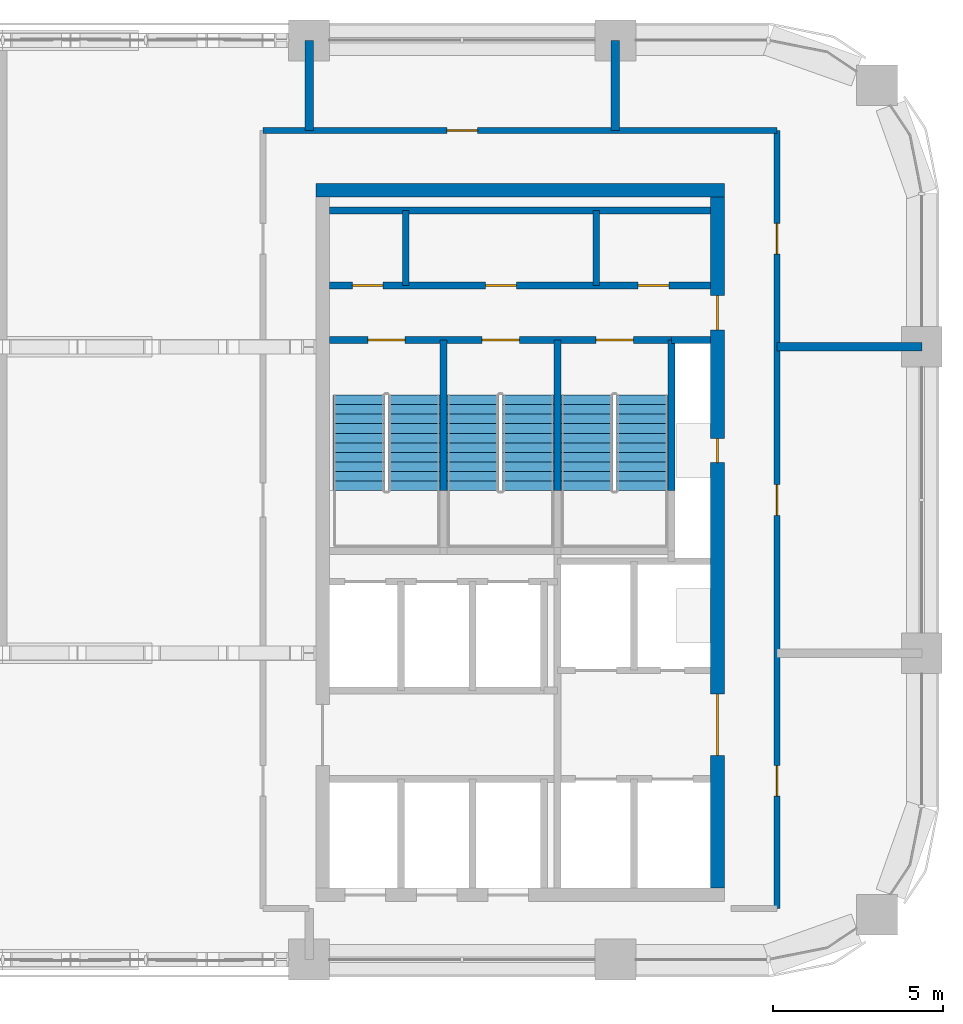
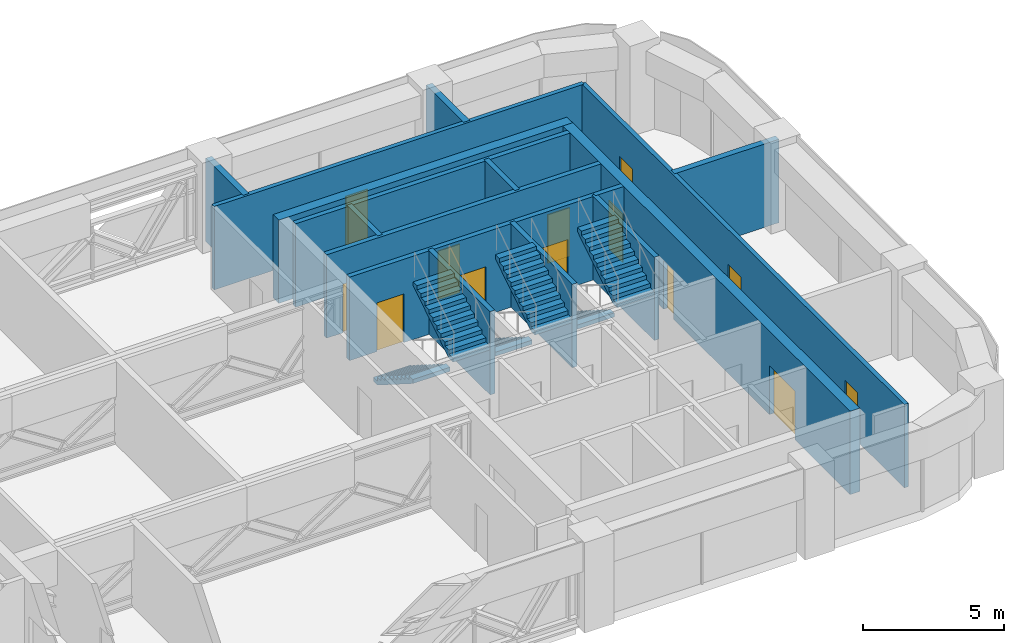
# One storey, part 11 of 12: 16 walls, 13 doors, 6 stair flights, 13 openings, 3 elements without a shape of their own.
"""IFC4 building model written with IfcOpenShell, lengths in metres."""

from ifc_helpers import new_model, si_unit, direction, frame, frame_2d, origin, place, context, subcontext, project, spatial, polyline, rectangle, outline, extrude, material, layer, layer_set, type_object, element, fill, aggregate, save


model = new_model("IFC4")

# Units and contexts
model_context = context("Model", 3, precision=1e-05, world=origin(), true_north=direction((0.0, 1.0)))
body_context = subcontext(model_context, "Body", "Model", "MODEL_VIEW")
ifc_project = project(units=[si_unit("LENGTHUNIT", "METRE"), si_unit("AREAUNIT", "SQUARE_METRE"), si_unit("VOLUMEUNIT", "CUBIC_METRE"), si_unit("PLANEANGLEUNIT", "RADIAN"), si_unit("MASSUNIT", "GRAM", prefix="KILO")], contexts=[model_context])

# Site, building, storey
site_placement = place(None, origin())
site = spatial("IfcSite", under=ifc_project, at=site_placement, CompositionType="ELEMENT")
building_placement = place(site_placement, origin())
building = spatial("IfcBuilding", under=site, at=building_placement, Name="Tessera Arch", CompositionType="ELEMENT")
storey_placement = place(building_placement, frame((0.0, 0.0, 230.60009765625)))
storey = spatial("IfcBuildingStorey", under=building, at=storey_placement, Name="L55", CompositionType="ELEMENT", Elevation=230.60009765625)

# Walls
ifc_material_1 = material(Name="Gypsum board on steel stud", Category="steel")
ifc_layer_1 = layer(ifc_material_1, 0.125)
ifc_layer_set_1 = layer_set([ifc_layer_1], Name="Core partition 125 EI 60")
wall_type_1 = type_object("IfcWallType", Name="Core partition 125 EI 60", PredefinedType="PARTITIONING", material=ifc_layer_set_1)
for number, where, z_axis, x_axis, name in (
    (1, (38.840087890625, 46.800048828125, 0.0), (0.0, 0.0, 1.0), (0.0, 1.0, 0.0), "L55 C1 partition wall 3"),
    (2, (44.43994140625, 46.800048828125, 0.0), (0.0, 0.0, 1.0), (0.0, 1.0, 0.0), "L55 C1 partition wall 13"),
):
    element("IfcWall", number, at=place(storey_placement, frame(where, z_axis=z_axis, x_axis=x_axis)), inside=storey, type_object=wall_type_1, Name=name, PredefinedType="PARTITIONING", context=body_context, shape_type="SweptSolid", body=[
        extrude(rectangle(XDim=2.199951171875, YDim=0.199951171875, at=frame_2d((1.10009765625, 0.0))), origin(), (0.0, 0.0, 1.0), 3.599853515625),
    ])

# Wall, openings, doors
wall_1_placement = place(storey_placement, frame((36.60009765625, 46.800048828125, 0.0), z_axis=(0.0, 0.0, 1.0), x_axis=(1.0, 0.0, 0.0)))
wall_1 = element("IfcWall", 3, at=wall_1_placement, inside=storey, type_object=wall_type_1, Name="L55 C1 partition wall 32", PredefinedType="PARTITIONING", context=body_context, shape_type="SweptSolid", body=[
    extrude(rectangle(XDim=11.199951171875, YDim=0.199951171875, at=frame_2d((5.60009765625, 0.0))), origin(), (0.0, 0.0, 1.0), 3.599853515625),
])
opening_1_placement = place(wall_1_placement, frame((0.669921875, 0.0, 0.0)))
opening_1 = element("IfcOpeningElement", 4, at=opening_1_placement, cuts=wall_1, Name="Opening L55-C18", PredefinedType="OPENING", context=body_context, shape_type="SweptSolid", body=[
    extrude(rectangle(XDim=0.89990234375, YDim=2.10009765625, at=frame_2d((0.449951171875, 1.050048828125))), frame((0.0, 0.10986328125, 0.0), z_axis=(0.0, -1.0, 0.0), x_axis=(1.0, 0.0, 0.0)), (0.0, 0.0, 1.0), 0.219970703125),
])
opening_2_placement = place(wall_1_placement, frame((4.590087890625, 0.0, 0.0)))
opening_2 = element("IfcOpeningElement", 5, at=opening_2_placement, cuts=wall_1, Name="Opening L55-C19", PredefinedType="OPENING", context=body_context, shape_type="SweptSolid", body=[
    extrude(rectangle(XDim=0.89990234375, YDim=2.10009765625, at=frame_2d((0.449951171875, 1.050048828125))), frame((0.0, 0.10986328125, 0.0), z_axis=(0.0, -1.0, 0.0), x_axis=(1.0, 0.0, 0.0)), (0.0, 0.0, 1.0), 0.219970703125),
])
opening_3_placement = place(wall_1_placement, frame((9.070068359375, 0.0, 0.0)))
opening_3 = element("IfcOpeningElement", 6, at=opening_3_placement, cuts=wall_1, Name="Opening L55-C20", PredefinedType="OPENING", context=body_context, shape_type="SweptSolid", body=[
    extrude(rectangle(XDim=0.89990234375, YDim=2.10009765625, at=frame_2d((0.449951171875, 1.050048828125))), frame((0.0, 0.10986328125, 0.0), z_axis=(0.0, -1.0, 0.0), x_axis=(1.0, 0.0, 0.0)), (0.0, 0.0, 1.0), 0.219970703125),
])
ifc_material_2 = material(Name="Steel door leaf", Category="steel")
door_type_1 = type_object("IfcDoorType", Name="Store door FD30S 900 x 2100", OperationType="SINGLE_SWING_LEFT", PredefinedType="DOOR", material=ifc_material_2)
door_1_placement = place(opening_1_placement, origin())
door_1 = element("IfcDoor", 7, at=door_1_placement, inside=storey, type_object=door_type_1, Name="L55 C1 door 18 C18 type D09", OperationType="SINGLE_SWING_LEFT", OverallHeight=2.10009765625, OverallWidth=0.89990234375, PredefinedType="DOOR", context=body_context, shape_type="SweptSolid", body=[
    extrude(rectangle(XDim=0.89990234375, YDim=2.10009765625, at=frame_2d((0.449951171875, 1.050048828125))), frame((0.0, 0.02490234375, 0.0), z_axis=(0.0, -1.0, 0.0), x_axis=(1.0, 0.0, 0.0)), (0.0, 0.0, 1.0), 0.050048828125),
])
fill(opening_1, door_1)
door_2_placement = place(opening_2_placement, origin())
door_2 = element("IfcDoor", 8, at=door_2_placement, inside=storey, type_object=door_type_1, Name="L55 C1 door 19 C19 type D09", OperationType="SINGLE_SWING_LEFT", OverallHeight=2.10009765625, OverallWidth=0.89990234375, PredefinedType="DOOR", context=body_context, shape_type="SweptSolid", body=[
    extrude(rectangle(XDim=0.89990234375, YDim=2.10009765625, at=frame_2d((0.449951171875, 1.050048828125))), frame((0.0, 0.02490234375, 0.0), z_axis=(0.0, -1.0, 0.0), x_axis=(1.0, 0.0, 0.0)), (0.0, 0.0, 1.0), 0.050048828125),
])
fill(opening_2, door_2)
door_3_placement = place(opening_3_placement, origin())
door_3 = element("IfcDoor", 9, at=door_3_placement, inside=storey, type_object=door_type_1, Name="L55 C1 door 20 C20 type D09", OperationType="SINGLE_SWING_RIGHT", OverallHeight=2.10009765625, OverallWidth=0.89990234375, PredefinedType="DOOR", context=body_context, shape_type="SweptSolid", body=[
    extrude(rectangle(XDim=0.89990234375, YDim=2.10009765625, at=frame_2d((0.449951171875, 1.050048828125))), frame((0.0, 0.02490234375, 0.0), z_axis=(0.0, -1.0, 0.0), x_axis=(1.0, 0.0, 0.0)), (0.0, 0.0, 1.0), 0.050048828125),
])
fill(opening_3, door_3)

# Walls
wall_2_placement = place(storey_placement, frame((36.60009765625, 49.0, 0.0), z_axis=(0.0, 0.0, 1.0), x_axis=(1.0, 0.0, 0.0)))
element("IfcWall", 10, at=wall_2_placement, inside=storey, type_object=wall_type_1, Name="L55 C1 partition wall 33", PredefinedType="PARTITIONING", context=body_context, shape_type="SweptSolid", body=[
    extrude(rectangle(XDim=11.199951171875, YDim=0.199951171875, at=frame_2d((5.60009765625, 0.0))), origin(), (0.0, 0.0, 1.0), 3.599853515625),
])
ifc_material_3 = material(Name="Concrete C50/60", Category="concrete")
ifc_layer_2 = layer(ifc_material_3, 0.39990234375)
ifc_layer_set_2 = layer_set([ifc_layer_2], Name="Core shell wall 400 C50-60")
wall_type_2 = type_object("IfcWallType", Name="Core shell wall 400 C50-60", PredefinedType="SHEAR", material=ifc_layer_set_2)
wall_3_placement = place(storey_placement, frame((36.199951171875, 49.60009765625, 0.0), z_axis=(0.0, 0.0, 1.0), x_axis=(1.0, 0.0, 0.0)))
element("IfcWall", 11, at=wall_3_placement, inside=storey, type_object=wall_type_2, Name="L55 C1 core wall N", PredefinedType="SHEAR", context=body_context, shape_type="SweptSolid", body=[
    extrude(rectangle(XDim=12.0, YDim=0.39990234375, at=frame_2d((6.0, 0.0))), origin(), (0.0, 0.0, 1.0), 3.599853515625),
])

# Wall, openings, doors
wall_4_placement = place(storey_placement, frame((48.0, 29.10009765625, 0.0), z_axis=(0.0, 0.0, 1.0), x_axis=(0.0, 1.0, 0.0)))
wall_4 = element("IfcWall", 12, at=wall_4_placement, inside=storey, type_object=wall_type_2, Name="L55 C1 core wall E", PredefinedType="SHEAR", context=body_context, shape_type="SweptSolid", body=[
    extrude(rectangle(XDim=20.2998046875, YDim=0.39990234375, at=frame_2d((10.14990234375, 0.0))), origin(), (0.0, 0.0, 1.0), 3.599853515625),
])
opening_4_placement = place(wall_4_placement, frame((12.5, 0.0, 0.0)))
opening_4 = element("IfcOpeningElement", 13, at=opening_4_placement, cuts=wall_4, Name="Opening L55-C14", PredefinedType="OPENING", context=body_context, shape_type="SweptSolid", body=[
    extrude(rectangle(XDim=0.699951171875, YDim=2.10009765625, at=frame_2d((0.35009765625, 1.050048828125))), frame((0.0, 0.2099609375, 0.0), z_axis=(0.0, -1.0, 0.0), x_axis=(1.0, 0.0, 0.0)), (0.0, 0.0, 1.0), 0.419921875),
])
opening_5_placement = place(wall_4_placement, frame((3.89990234375, 0.0, 0.0)))
opening_5 = element("IfcOpeningElement", 14, at=opening_5_placement, cuts=wall_4, Name="Opening L55-C15", PredefinedType="OPENING", context=body_context, shape_type="SweptSolid", body=[
    extrude(rectangle(XDim=1.800048828125, YDim=2.10009765625, at=frame_2d((0.89990234375, 1.050048828125))), frame((0.0, 0.2099609375, 0.0), z_axis=(0.0, -1.0, 0.0), x_axis=(1.0, 0.0, 0.0)), (0.0, 0.0, 1.0), 0.419921875),
])
opening_6_placement = place(wall_4_placement, frame((16.39990234375, 0.0, 0.0)))
opening_6 = element("IfcOpeningElement", 15, at=opening_6_placement, cuts=wall_4, Name="Opening L55-C17", PredefinedType="OPENING", context=body_context, shape_type="SweptSolid", body=[
    extrude(rectangle(XDim=1.0, YDim=2.10009765625, at=frame_2d((0.5, 1.050048828125))), frame((0.0, 0.2099609375, 0.0), z_axis=(0.0, -1.0, 0.0), x_axis=(1.0, 0.0, 0.0)), (0.0, 0.0, 1.0), 0.419921875),
])
ifc_material_4 = material(Name="Steel door leaf", Category="steel")
door_type_2 = type_object("IfcDoorType", Name="Corridor door FD60 1000 x 2100", OperationType="SINGLE_SWING_LEFT", PredefinedType="DOOR", material=ifc_material_4)
door_4_placement = place(opening_6_placement, origin())
door_4 = element("IfcDoor", 16, at=door_4_placement, inside=storey, type_object=door_type_2, Name="L55 C1 door 17 C17 type D12", OperationType="SINGLE_SWING_RIGHT", OverallHeight=2.10009765625, OverallWidth=1.0, PredefinedType="DOOR", context=body_context, shape_type="SweptSolid", body=[
    extrude(rectangle(XDim=1.0, YDim=2.10009765625, at=frame_2d((0.5, 1.050048828125))), frame((0.0, 0.02490234375, 0.0), z_axis=(0.0, -1.0, 0.0), x_axis=(1.0, 0.0, 0.0)), (0.0, 0.0, 1.0), 0.050048828125),
])
fill(opening_6, door_4)
ifc_material_5 = material(Name="Glazed steel door leaf", Category="steel")
door_type_3 = type_object("IfcDoorType", Name="Lobby double door FD60 1800 x 2100", OperationType="DOUBLE_DOOR_SINGLE_SWING", PredefinedType="DOOR", material=ifc_material_5)
door_5_placement = place(opening_5_placement, origin())
door_5 = element("IfcDoor", 17, at=door_5_placement, inside=storey, type_object=door_type_3, Name="L55 C1 door 15 C15 type D19", OperationType="DOUBLE_DOOR_SINGLE_SWING", OverallHeight=2.10009765625, OverallWidth=1.800048828125, PredefinedType="DOOR", context=body_context, shape_type="SweptSolid", body=[
    extrude(rectangle(XDim=1.800048828125, YDim=2.10009765625, at=frame_2d((0.89990234375, 1.050048828125))), frame((0.0, 0.02490234375, 0.0), z_axis=(0.0, -1.0, 0.0), x_axis=(1.0, 0.0, 0.0)), (0.0, 0.0, 1.0), 0.050048828125),
])
fill(opening_5, door_5)
ifc_material_6 = material(Name="Steel door leaf", Category="steel")
door_type_4 = type_object("IfcDoorType", Name="Service shaft door FD60 700 x 2100", OperationType="SINGLE_SWING_LEFT", PredefinedType="DOOR", material=ifc_material_6)
door_6_placement = place(opening_4_placement, origin())
door_6 = element("IfcDoor", 18, at=door_6_placement, inside=storey, type_object=door_type_4, Name="L55 C1 door 14 C14 type D07", OperationType="SINGLE_SWING_RIGHT", OverallHeight=2.10009765625, OverallWidth=0.699951171875, PredefinedType="DOOR", context=body_context, shape_type="SweptSolid", body=[
    extrude(rectangle(XDim=0.699951171875, YDim=2.10009765625, at=frame_2d((0.35009765625, 1.050048828125))), frame((0.0, 0.02490234375, 0.0), z_axis=(0.0, -1.0, 0.0), x_axis=(1.0, 0.0, 0.0)), (0.0, 0.0, 1.0), 0.050048828125),
])
fill(opening_4, door_6)

# Wall, opening, door
ifc_material_7 = material(Name="Gypsum board on deep steel stud with mineral wool", Category="steel")
ifc_layer_3 = layer(ifc_material_7, 0.175048828125)
ifc_layer_set_3 = layer_set([ifc_layer_3], Name="Corridor wall 175 EI 60")
wall_type_3 = type_object("IfcWallType", Name="Corridor wall 175 EI 60", PredefinedType="PARTITIONING", material=ifc_layer_set_3)
wall_5_placement = place(storey_placement, frame((34.64990234375, 51.35009765625, 0.0), z_axis=(0.0, 0.0, 1.0), x_axis=(1.0, 0.0, 0.0)))
wall_5 = element("IfcWall", 19, at=wall_5_placement, inside=storey, type_object=wall_type_3, Name="L55 partition 6", PredefinedType="PARTITIONING", context=body_context, shape_type="SweptSolid", body=[
    extrude(rectangle(XDim=15.10009765625, YDim=0.175048828125, at=frame_2d((7.550048828125, 0.0))), origin(), (0.0, 0.0, 1.0), 3.599853515625),
])
opening_7_placement = place(wall_5_placement, frame((5.39990234375, 0.0, 0.0)))
opening_7 = element("IfcOpeningElement", 20, at=opening_7_placement, cuts=wall_5, Name="Opening L55-D014", PredefinedType="OPENING", context=body_context, shape_type="SweptSolid", body=[
    extrude(rectangle(XDim=0.89990234375, YDim=2.10009765625, at=frame_2d((0.449951171875, 1.050048828125))), frame((0.0, 0.097412109375, 0.0), z_axis=(0.0, -1.0, 0.0), x_axis=(1.0, 0.0, 0.0)), (0.0, 0.0, 1.0), 0.195068359375),
])
ifc_material_8 = material(Name="Timber door leaf", Category="wood")
door_type_5 = type_object("IfcDoorType", Name="Room door 900 x 2100", OperationType="SINGLE_SWING_LEFT", PredefinedType="DOOR", material=ifc_material_8)
door_7_placement = place(opening_7_placement, origin())
door_7 = element("IfcDoor", 21, at=door_7_placement, inside=storey, type_object=door_type_5, Name="L55 door D014 type D01", OperationType="SINGLE_SWING_RIGHT", OverallHeight=2.10009765625, OverallWidth=0.89990234375, PredefinedType="DOOR", context=body_context, shape_type="SweptSolid", body=[
    extrude(rectangle(XDim=0.89990234375, YDim=2.10009765625, at=frame_2d((0.449951171875, 1.050048828125))), frame((0.0, 0.02490234375, 0.0), z_axis=(0.0, -1.0, 0.0), x_axis=(1.0, 0.0, 0.0)), (0.0, 0.0, 1.0), 0.050048828125),
])
fill(opening_7, door_7)

# Wall, openings, doors
wall_6_placement = place(storey_placement, frame((49.75, 28.5, 0.0), z_axis=(0.0, 0.0, 1.0), x_axis=(0.0, 1.0, 0.0)))
wall_6 = element("IfcWall", 22, at=wall_6_placement, inside=storey, type_object=wall_type_3, Name="L55 partition 10", PredefinedType="PARTITIONING", context=body_context, shape_type="SweptSolid", body=[
    extrude(rectangle(XDim=22.85009765625, YDim=0.175048828125, at=frame_2d((11.425048828125, 0.0))), origin(), (0.0, 0.0, 1.0), 3.599853515625),
])
opening_8_placement = place(wall_6_placement, frame((3.300048828125, 0.0, 0.0)))
opening_8 = element("IfcOpeningElement", 23, at=opening_8_placement, cuts=wall_6, Name="Opening L55-D001", PredefinedType="OPENING", context=body_context, shape_type="SweptSolid", body=[
    extrude(rectangle(XDim=0.89990234375, YDim=2.10009765625, at=frame_2d((0.449951171875, 1.050048828125))), frame((0.0, 0.097412109375, 0.0), z_axis=(0.0, -1.0, 0.0), x_axis=(1.0, 0.0, 0.0)), (0.0, 0.0, 1.0), 0.195068359375),
])
opening_9_placement = place(wall_6_placement, frame((11.550048828125, 0.0, 0.0)))
opening_9 = element("IfcOpeningElement", 24, at=opening_9_placement, cuts=wall_6, Name="Opening L55-D008", PredefinedType="OPENING", context=body_context, shape_type="SweptSolid", body=[
    extrude(rectangle(XDim=0.89990234375, YDim=2.10009765625, at=frame_2d((0.449951171875, 1.050048828125))), frame((0.0, 0.097412109375, 0.0), z_axis=(0.0, -1.0, 0.0), x_axis=(1.0, 0.0, 0.0)), (0.0, 0.0, 1.0), 0.195068359375),
])
opening_10_placement = place(wall_6_placement, frame((19.22509765625, 0.0, 0.0)))
opening_10 = element("IfcOpeningElement", 25, at=opening_10_placement, cuts=wall_6, Name="Opening L55-D012", PredefinedType="OPENING", context=body_context, shape_type="SweptSolid", body=[
    extrude(rectangle(XDim=0.89990234375, YDim=2.10009765625, at=frame_2d((0.449951171875, 1.050048828125))), frame((0.0, 0.097412109375, 0.0), z_axis=(0.0, -1.0, 0.0), x_axis=(1.0, 0.0, 0.0)), (0.0, 0.0, 1.0), 0.195068359375),
])
door_8_placement = place(opening_8_placement, origin())
door_8 = element("IfcDoor", 26, at=door_8_placement, inside=storey, type_object=door_type_5, Name="L55 door D001 type D01", OperationType="SINGLE_SWING_RIGHT", OverallHeight=2.10009765625, OverallWidth=0.89990234375, PredefinedType="DOOR", context=body_context, shape_type="SweptSolid", body=[
    extrude(rectangle(XDim=0.89990234375, YDim=2.10009765625, at=frame_2d((0.449951171875, 1.050048828125))), frame((0.0, 0.02490234375, 0.0), z_axis=(0.0, -1.0, 0.0), x_axis=(1.0, 0.0, 0.0)), (0.0, 0.0, 1.0), 0.050048828125),
])
fill(opening_8, door_8)
door_9_placement = place(opening_9_placement, origin())
door_9 = element("IfcDoor", 27, at=door_9_placement, inside=storey, type_object=door_type_5, Name="L55 door D008 type D01", OperationType="SINGLE_SWING_LEFT", OverallHeight=2.10009765625, OverallWidth=0.89990234375, PredefinedType="DOOR", context=body_context, shape_type="SweptSolid", body=[
    extrude(rectangle(XDim=0.89990234375, YDim=2.10009765625, at=frame_2d((0.449951171875, 1.050048828125))), frame((0.0, 0.02490234375, 0.0), z_axis=(0.0, -1.0, 0.0), x_axis=(1.0, 0.0, 0.0)), (0.0, 0.0, 1.0), 0.050048828125),
])
fill(opening_9, door_9)
door_10_placement = place(opening_10_placement, origin())
door_10 = element("IfcDoor", 28, at=door_10_placement, inside=storey, type_object=door_type_5, Name="L55 door D012 type D01", OperationType="SINGLE_SWING_LEFT", OverallHeight=2.10009765625, OverallWidth=0.89990234375, PredefinedType="DOOR", context=body_context, shape_type="SweptSolid", body=[
    extrude(rectangle(XDim=0.89990234375, YDim=2.10009765625, at=frame_2d((0.449951171875, 1.050048828125))), frame((0.0, 0.02490234375, 0.0), z_axis=(0.0, -1.0, 0.0), x_axis=(1.0, 0.0, 0.0)), (0.0, 0.0, 1.0), 0.050048828125),
])
fill(opening_10, door_10)

# Walls
ifc_material_9 = material(Name="Double gypsum board on twin steel stud with acoustic mineral wool", Category="steel")
ifc_layer_4 = layer(ifc_material_9, 0.25)
ifc_layer_set_4 = layer_set([ifc_layer_4], Name="Party wall 250 EI 60")
wall_type_4 = type_object("IfcWallType", Name="Party wall 250 EI 60", PredefinedType="PARTITIONING", material=ifc_layer_set_4)
wall_7_placement = place(storey_placement, frame((49.75, 45.0, 0.0), z_axis=(0.0, 0.0, 1.0), x_axis=(1.0, 0.0, 0.0)))
element("IfcWall", 29, at=wall_7_placement, inside=storey, type_object=wall_type_4, Name="L55 partition 16", PredefinedType="PARTITIONING", context=body_context, shape_type="SweptSolid", body=[
    extrude(rectangle(XDim=4.25, YDim=0.25, at=frame_2d((2.125, 0.0))), origin(), (0.0, 0.0, 1.0), 3.599853515625),
])
for number, where, z_axis, x_axis, name in (
    (30, (36.0, 51.35009765625, 0.0), (0.0, 0.0, 1.0), (0.0, 1.0, 0.0), "L55 partition 23"),
    (31, (45.0, 51.35009765625, 0.0), (0.0, 0.0, 1.0), (0.0, 1.0, 0.0), "L55 partition 24"),
):
    element("IfcWall", number, at=place(storey_placement, frame(where, z_axis=z_axis, x_axis=x_axis)), inside=storey, type_object=wall_type_4, Name=name, PredefinedType="PARTITIONING", context=body_context, shape_type="SweptSolid", body=[
        extrude(rectangle(XDim=2.64990234375, YDim=0.25, at=frame_2d((1.324951171875, 0.0))), origin(), (0.0, 0.0, 1.0), 3.599853515625),
    ])
ifc_material_10 = material(Name="Concrete C40/50", Category="concrete")
ifc_layer_5 = layer(ifc_material_10, 0.199951171875)
ifc_layer_set_5 = layer_set([ifc_layer_5], Name="Shaft wall 200 EI 120")
wall_type_5 = type_object("IfcWallType", Name="Shaft wall 200 EI 120", PredefinedType="SOLIDWALL", material=ifc_layer_set_5)
wall_8_placement = place(storey_placement, frame((46.64990234375, 45.199951171875, 0.0), z_axis=(0.0, 0.0, 1.0), x_axis=(1.0, 0.0, 0.0)))
element("IfcWall", 32, at=wall_8_placement, inside=storey, type_object=wall_type_5, Name="L55 C1 shaft wall 30", PredefinedType="SOLIDWALL", context=body_context, shape_type="SweptSolid", body=[
    extrude(rectangle(XDim=1.150146484375, YDim=0.199951171875, at=frame_2d((0.5751953125, 0.0))), origin(), (0.0, 0.0, 1.0), 3.599853515625),
])
ifc_material_11 = material(Name="Concrete C40/50", Category="concrete")
ifc_layer_6 = layer(ifc_material_11, 0.199951171875)
ifc_layer_set_6 = layer_set([ifc_layer_6], Name="Stair well wall 200 REI 180")
wall_type_6 = type_object("IfcWallType", Name="Stair well wall 200 REI 180", PredefinedType="SOLIDWALL", material=ifc_layer_set_6)
for number, where, z_axis, x_axis, name in (
    (33, (39.949951171875, 40.780029296875, 0.0), (0.0, 0.0, 1.0), (0.0, 1.0, 0.0), "L55 C1 shaft wall 5"),
    (34, (43.300048828125, 40.780029296875, 0.0), (0.0, 0.0, 1.0), (0.0, 1.0, 0.0), "L55 C1 shaft wall 12"),
    (35, (46.64990234375, 40.780029296875, 0.0), (0.0, 0.0, 1.0), (0.0, 1.0, 0.0), "L55 C1 shaft wall 18"),
):
    element("IfcWall", number, at=place(storey_placement, frame(where, z_axis=z_axis, x_axis=x_axis)), inside=storey, type_object=wall_type_6, Name=name, PredefinedType="SOLIDWALL", context=body_context, shape_type="SweptSolid", body=[
        extrude(rectangle(XDim=4.419921875, YDim=0.199951171875, at=frame_2d((2.2099609375, 0.0))), origin(), (0.0, 0.0, 1.0), 3.599853515625),
    ])

# Wall, openings, doors
wall_9_placement = place(storey_placement, frame((36.60009765625, 45.199951171875, 0.0), z_axis=(0.0, 0.0, 1.0), x_axis=(1.0, 0.0, 0.0)))
wall_9 = element("IfcWall", 36, at=wall_9_placement, inside=storey, type_object=wall_type_6, Name="L55 C1 shaft wall 31", PredefinedType="SOLIDWALL", context=body_context, shape_type="SweptSolid", body=[
    extrude(rectangle(XDim=10.0498046875, YDim=0.199951171875, at=frame_2d((5.02490234375, 0.0))), origin(), (0.0, 0.0, 1.0), 3.599853515625),
])
opening_11_placement = place(wall_9_placement, frame((1.125, 0.0, 0.0)))
opening_11 = element("IfcOpeningElement", 37, at=opening_11_placement, cuts=wall_9, Name="Opening L55-C11", PredefinedType="OPENING", context=body_context, shape_type="SweptSolid", body=[
    extrude(rectangle(XDim=1.10009765625, YDim=2.10009765625, at=frame_2d((0.550048828125, 1.050048828125))), frame((0.0, 0.10986328125, 0.0), z_axis=(0.0, -1.0, 0.0), x_axis=(1.0, 0.0, 0.0)), (0.0, 0.0, 1.0), 0.219970703125),
])
opening_12_placement = place(wall_9_placement, frame((4.47509765625, 0.0, 0.0)))
opening_12 = element("IfcOpeningElement", 38, at=opening_12_placement, cuts=wall_9, Name="Opening L55-C12", PredefinedType="OPENING", context=body_context, shape_type="SweptSolid", body=[
    extrude(rectangle(XDim=1.10009765625, YDim=2.10009765625, at=frame_2d((0.550048828125, 1.050048828125))), frame((0.0, 0.10986328125, 0.0), z_axis=(0.0, -1.0, 0.0), x_axis=(1.0, 0.0, 0.0)), (0.0, 0.0, 1.0), 0.219970703125),
])
opening_13_placement = place(wall_9_placement, frame((7.824951171875, 0.0, 0.0)))
opening_13 = element("IfcOpeningElement", 39, at=opening_13_placement, cuts=wall_9, Name="Opening L55-C13", PredefinedType="OPENING", context=body_context, shape_type="SweptSolid", body=[
    extrude(rectangle(XDim=1.10009765625, YDim=2.10009765625, at=frame_2d((0.550048828125, 1.050048828125))), frame((0.0, 0.10986328125, 0.0), z_axis=(0.0, -1.0, 0.0), x_axis=(1.0, 0.0, 0.0)), (0.0, 0.0, 1.0), 0.219970703125),
])
ifc_material_12 = material(Name="Steel door leaf", Category="steel")
door_type_6 = type_object("IfcDoorType", Name="Stair door FD60 1100 x 2100", OperationType="SINGLE_SWING_LEFT", PredefinedType="DOOR", material=ifc_material_12)
door_11_placement = place(opening_11_placement, origin())
door_11 = element("IfcDoor", 40, at=door_11_placement, inside=storey, type_object=door_type_6, Name="L55 C1 door 11 C11 type D05", OperationType="SINGLE_SWING_LEFT", OverallHeight=2.10009765625, OverallWidth=1.10009765625, PredefinedType="DOOR", context=body_context, shape_type="SweptSolid", body=[
    extrude(rectangle(XDim=1.10009765625, YDim=2.10009765625, at=frame_2d((0.550048828125, 1.050048828125))), frame((0.0, 0.02490234375, 0.0), z_axis=(0.0, -1.0, 0.0), x_axis=(1.0, 0.0, 0.0)), (0.0, 0.0, 1.0), 0.050048828125),
])
fill(opening_11, door_11)
door_12_placement = place(opening_12_placement, origin())
door_12 = element("IfcDoor", 41, at=door_12_placement, inside=storey, type_object=door_type_6, Name="L55 C1 door 12 C12 type D05", OperationType="SINGLE_SWING_RIGHT", OverallHeight=2.10009765625, OverallWidth=1.10009765625, PredefinedType="DOOR", context=body_context, shape_type="SweptSolid", body=[
    extrude(rectangle(XDim=1.10009765625, YDim=2.10009765625, at=frame_2d((0.550048828125, 1.050048828125))), frame((0.0, 0.02490234375, 0.0), z_axis=(0.0, -1.0, 0.0), x_axis=(1.0, 0.0, 0.0)), (0.0, 0.0, 1.0), 0.050048828125),
])
fill(opening_12, door_12)
door_13_placement = place(opening_13_placement, origin())
door_13 = element("IfcDoor", 42, at=door_13_placement, inside=storey, type_object=door_type_6, Name="L55 C1 door 13 C13 type D05", OperationType="SINGLE_SWING_RIGHT", OverallHeight=2.10009765625, OverallWidth=1.10009765625, PredefinedType="DOOR", context=body_context, shape_type="SweptSolid", body=[
    extrude(rectangle(XDim=1.10009765625, YDim=2.10009765625, at=frame_2d((0.550048828125, 1.050048828125))), frame((0.0, 0.02490234375, 0.0), z_axis=(0.0, -1.0, 0.0), x_axis=(1.0, 0.0, 0.0)), (0.0, 0.0, 1.0), 0.050048828125),
])
fill(opening_13, door_13)

# Stair, stair flights
ifc_material_13 = material(Name="Concrete C40/50", Category="concrete")
stair_type = type_object("IfcStairType", Name="Dogleg stair 1520", PredefinedType="HALF_TURN_STAIR", material=ifc_material_13)
stair_1_placement = place(storey_placement, origin())
stair_1 = element("IfcStair", 43, at=stair_1_placement, inside=storey, type_object=stair_type, Name="L55 S1a", PredefinedType="HALF_TURN_STAIR")
ifc_material_14 = material(Name="Concrete C40/50", Category="concrete")
stair_flight_type = type_object("IfcStairFlightType", Name="Stair flight 1520", PredefinedType="STRAIGHT", material=ifc_material_14)
stair_flight_1_placement = place(storey_placement, frame((37.4599609375, 43.580078125, 0.0), z_axis=(0.0, 0.0, 1.0), x_axis=(0.0, -1.0, 0.0)))
stair_flight_1 = element("IfcStairFlight", 44, at=stair_flight_1_placement, type_object=stair_flight_type, Name="S1a flight 1", NumberOfRisers=11, NumberOfTreads=10, PredefinedType="STRAIGHT", RiserHeight=0.177272727, TreadLength=0.28, context=body_context, shape_type="SweptSolid", body=[
    extrude(outline(polyline([(0.0, 0.0), (0.0, 0.17724609375), (0.280029296875, 0.17724609375), (0.280029296875, 0.3544921875), (0.56005859375, 0.3544921875), (0.56005859375, 0.53173828125), (0.840087890625, 0.53173828125), (0.840087890625, 0.708984375), (1.1201171875, 0.708984375), (1.1201171875, 0.886474609375), (1.39990234375, 0.886474609375), (1.39990234375, 1.063720703125), (1.679931640625, 1.063720703125), (1.679931640625, 1.240966796875), (1.9599609375, 1.240966796875), (1.9599609375, 1.418212890625), (2.239990234375, 1.418212890625), (2.239990234375, 1.595458984375), (2.52001953125, 1.595458984375), (2.52001953125, 1.772705078125), (2.800048828125, 1.772705078125), (2.800048828125, 1.949951171875), (2.800048828125, 1.59521484375), (0.2802734375, 0.0), (0.0, 0.0)])), frame((0.0, 0.760009765625, 0.0), z_axis=(0.0, -1.0, 0.0), x_axis=(1.0, 0.0, 0.0)), (0.0, 0.0, 1.0), 1.52001953125),
])
stair_flight_2_placement = place(storey_placement, frame((39.090087890625, 40.780029296875, 1.949951171875), z_axis=(0.0, 0.0, 1.0), x_axis=(0.0, 1.0, 0.0)))
stair_flight_2 = element("IfcStairFlight", 45, at=stair_flight_2_placement, type_object=stair_flight_type, Name="S1a flight 2", NumberOfRisers=11, NumberOfTreads=10, PredefinedType="STRAIGHT", RiserHeight=0.177272727, TreadLength=0.28, context=body_context, shape_type="SweptSolid", body=[
    extrude(outline(polyline([(0.0, 0.0), (0.0, 0.17724609375), (0.280029296875, 0.17724609375), (0.280029296875, 0.3544921875), (0.56005859375, 0.3544921875), (0.56005859375, 0.53173828125), (0.840087890625, 0.53173828125), (0.840087890625, 0.708984375), (1.1201171875, 0.708984375), (1.1201171875, 0.886474609375), (1.39990234375, 0.886474609375), (1.39990234375, 1.063720703125), (1.679931640625, 1.063720703125), (1.679931640625, 1.240966796875), (1.9599609375, 1.240966796875), (1.9599609375, 1.418212890625), (2.239990234375, 1.418212890625), (2.239990234375, 1.595458984375), (2.52001953125, 1.595458984375), (2.52001953125, 1.772705078125), (2.800048828125, 1.772705078125), (2.800048828125, 1.949951171875), (2.800048828125, 1.59521484375), (0.2802734375, 0.0), (0.0, 0.0)])), frame((0.0, 0.760009765625, 0.0), z_axis=(0.0, -1.0, 0.0), x_axis=(1.0, 0.0, 0.0)), (0.0, 0.0, 1.0), 1.52001953125),
])
aggregate(stair_1, [stair_flight_1, stair_flight_2])

stair_2_placement = place(storey_placement, origin())
stair_2 = element("IfcStair", 46, at=stair_2_placement, inside=storey, type_object=stair_type, Name="L55 S1b", PredefinedType="HALF_TURN_STAIR")
stair_flight_3_placement = place(storey_placement, frame((40.81005859375, 43.580078125, 0.0), z_axis=(0.0, 0.0, 1.0), x_axis=(0.0, -1.0, 0.0)))
stair_flight_3 = element("IfcStairFlight", 47, at=stair_flight_3_placement, type_object=stair_flight_type, Name="S1b flight 1", NumberOfRisers=11, NumberOfTreads=10, PredefinedType="STRAIGHT", RiserHeight=0.177272727, TreadLength=0.28, context=body_context, shape_type="SweptSolid", body=[
    extrude(outline(polyline([(0.0, 0.0), (0.0, 0.17724609375), (0.280029296875, 0.17724609375), (0.280029296875, 0.3544921875), (0.56005859375, 0.3544921875), (0.56005859375, 0.53173828125), (0.840087890625, 0.53173828125), (0.840087890625, 0.708984375), (1.1201171875, 0.708984375), (1.1201171875, 0.886474609375), (1.39990234375, 0.886474609375), (1.39990234375, 1.063720703125), (1.679931640625, 1.063720703125), (1.679931640625, 1.240966796875), (1.9599609375, 1.240966796875), (1.9599609375, 1.418212890625), (2.239990234375, 1.418212890625), (2.239990234375, 1.595458984375), (2.52001953125, 1.595458984375), (2.52001953125, 1.772705078125), (2.800048828125, 1.772705078125), (2.800048828125, 1.949951171875), (2.800048828125, 1.59521484375), (0.2802734375, 0.0), (0.0, 0.0)])), frame((0.0, 0.760009765625, 0.0), z_axis=(0.0, -1.0, 0.0), x_axis=(1.0, 0.0, 0.0)), (0.0, 0.0, 1.0), 1.52001953125),
])
stair_flight_4_placement = place(storey_placement, frame((42.43994140625, 40.780029296875, 1.949951171875), z_axis=(0.0, 0.0, 1.0), x_axis=(0.0, 1.0, 0.0)))
stair_flight_4 = element("IfcStairFlight", 48, at=stair_flight_4_placement, type_object=stair_flight_type, Name="S1b flight 2", NumberOfRisers=11, NumberOfTreads=10, PredefinedType="STRAIGHT", RiserHeight=0.177272727, TreadLength=0.28, context=body_context, shape_type="SweptSolid", body=[
    extrude(outline(polyline([(0.0, 0.0), (0.0, 0.17724609375), (0.280029296875, 0.17724609375), (0.280029296875, 0.3544921875), (0.56005859375, 0.3544921875), (0.56005859375, 0.53173828125), (0.840087890625, 0.53173828125), (0.840087890625, 0.708984375), (1.1201171875, 0.708984375), (1.1201171875, 0.886474609375), (1.39990234375, 0.886474609375), (1.39990234375, 1.063720703125), (1.679931640625, 1.063720703125), (1.679931640625, 1.240966796875), (1.9599609375, 1.240966796875), (1.9599609375, 1.418212890625), (2.239990234375, 1.418212890625), (2.239990234375, 1.595458984375), (2.52001953125, 1.595458984375), (2.52001953125, 1.772705078125), (2.800048828125, 1.772705078125), (2.800048828125, 1.949951171875), (2.800048828125, 1.59521484375), (0.2802734375, 0.0), (0.0, 0.0)])), frame((0.0, 0.760009765625, 0.0), z_axis=(0.0, -1.0, 0.0), x_axis=(1.0, 0.0, 0.0)), (0.0, 0.0, 1.0), 1.52001953125),
])
aggregate(stair_2, [stair_flight_3, stair_flight_4])

stair_3_placement = place(storey_placement, origin())
stair_3 = element("IfcStair", 49, at=stair_3_placement, inside=storey, type_object=stair_type, Name="L55 S1c", PredefinedType="HALF_TURN_STAIR")
stair_flight_5_placement = place(storey_placement, frame((44.159912109375, 43.580078125, 0.0), z_axis=(0.0, 0.0, 1.0), x_axis=(0.0, -1.0, 0.0)))
stair_flight_5 = element("IfcStairFlight", 50, at=stair_flight_5_placement, type_object=stair_flight_type, Name="S1c flight 1", NumberOfRisers=11, NumberOfTreads=10, PredefinedType="STRAIGHT", RiserHeight=0.177272727, TreadLength=0.28, context=body_context, shape_type="SweptSolid", body=[
    extrude(outline(polyline([(0.0, 0.0), (0.0, 0.17724609375), (0.280029296875, 0.17724609375), (0.280029296875, 0.3544921875), (0.56005859375, 0.3544921875), (0.56005859375, 0.53173828125), (0.840087890625, 0.53173828125), (0.840087890625, 0.708984375), (1.1201171875, 0.708984375), (1.1201171875, 0.886474609375), (1.39990234375, 0.886474609375), (1.39990234375, 1.063720703125), (1.679931640625, 1.063720703125), (1.679931640625, 1.240966796875), (1.9599609375, 1.240966796875), (1.9599609375, 1.418212890625), (2.239990234375, 1.418212890625), (2.239990234375, 1.595458984375), (2.52001953125, 1.595458984375), (2.52001953125, 1.772705078125), (2.800048828125, 1.772705078125), (2.800048828125, 1.949951171875), (2.800048828125, 1.59521484375), (0.2802734375, 0.0), (0.0, 0.0)])), frame((0.0, 0.760009765625, 0.0), z_axis=(0.0, -1.0, 0.0), x_axis=(1.0, 0.0, 0.0)), (0.0, 0.0, 1.0), 1.52001953125),
])
stair_flight_6_placement = place(storey_placement, frame((45.7900390625, 40.780029296875, 1.949951171875), z_axis=(0.0, 0.0, 1.0), x_axis=(0.0, 1.0, 0.0)))
stair_flight_6 = element("IfcStairFlight", 51, at=stair_flight_6_placement, type_object=stair_flight_type, Name="S1c flight 2", NumberOfRisers=11, NumberOfTreads=10, PredefinedType="STRAIGHT", RiserHeight=0.177272727, TreadLength=0.28, context=body_context, shape_type="SweptSolid", body=[
    extrude(outline(polyline([(0.0, 0.0), (0.0, 0.17724609375), (0.280029296875, 0.17724609375), (0.280029296875, 0.3544921875), (0.56005859375, 0.3544921875), (0.56005859375, 0.53173828125), (0.840087890625, 0.53173828125), (0.840087890625, 0.708984375), (1.1201171875, 0.708984375), (1.1201171875, 0.886474609375), (1.39990234375, 0.886474609375), (1.39990234375, 1.063720703125), (1.679931640625, 1.063720703125), (1.679931640625, 1.240966796875), (1.9599609375, 1.240966796875), (1.9599609375, 1.418212890625), (2.239990234375, 1.418212890625), (2.239990234375, 1.595458984375), (2.52001953125, 1.595458984375), (2.52001953125, 1.772705078125), (2.800048828125, 1.772705078125), (2.800048828125, 1.949951171875), (2.800048828125, 1.59521484375), (0.2802734375, 0.0), (0.0, 0.0)])), frame((0.0, 0.760009765625, 0.0), z_axis=(0.0, -1.0, 0.0), x_axis=(1.0, 0.0, 0.0)), (0.0, 0.0, 1.0), 1.52001953125),
])
aggregate(stair_3, [stair_flight_5, stair_flight_6])

save(model, "model.ifc")
